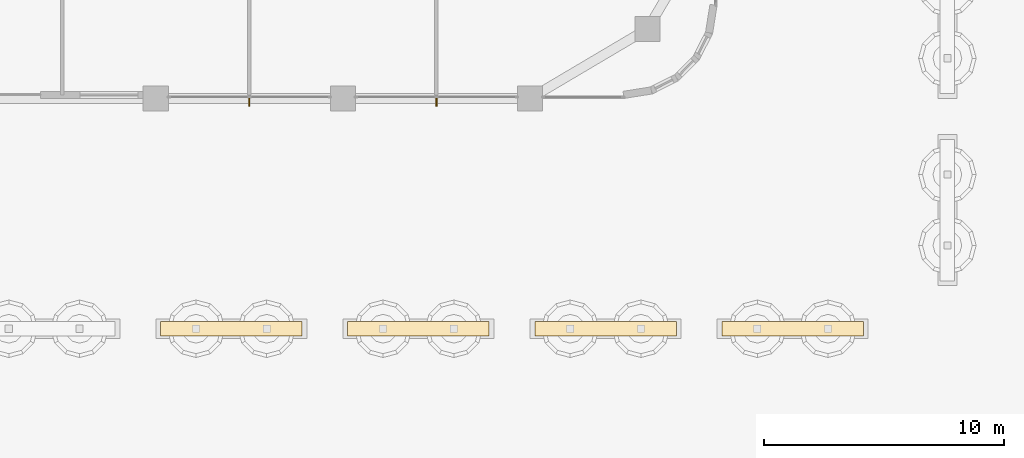
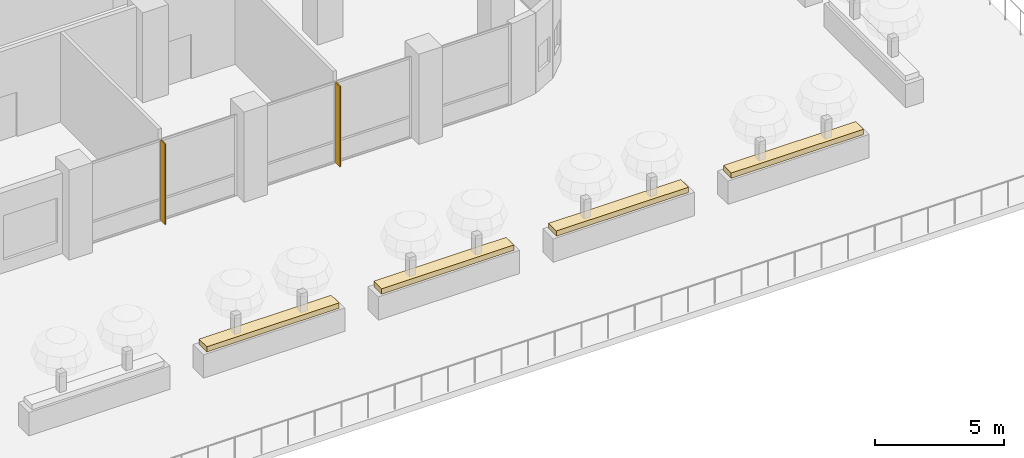
# One storey, part 21 of 31: 4 coverings, 2 shading devices.
"""IFC4 building model written with IfcOpenShell, lengths in metres."""

from ifc_helpers import new_model, si_unit, direction, frame, origin, origin_2d, place, context, subcontext, project, spatial, rectangle, extrude, material, layer, layer_set, type_object, element, save


model = new_model("IFC4")

# Units and contexts
model_context = context("Model", 3, precision=1e-05, world=origin(), true_north=direction((0.0, 1.0)))
body_context = subcontext(model_context, "Body", "Model", "MODEL_VIEW")
ifc_project = project(units=[si_unit("LENGTHUNIT", "METRE"), si_unit("AREAUNIT", "SQUARE_METRE"), si_unit("VOLUMEUNIT", "CUBIC_METRE"), si_unit("PLANEANGLEUNIT", "RADIAN"), si_unit("MASSUNIT", "GRAM", prefix="KILO")], contexts=[model_context])

# Site, building, storey
site_placement = place(None, origin())
site = spatial("IfcSite", under=ifc_project, at=site_placement, CompositionType="ELEMENT")
building_placement = place(site_placement, origin())
building = spatial("IfcBuilding", under=site, at=building_placement, Name="Ludao Terraces", CompositionType="ELEMENT")
storey_placement = place(building_placement, frame((0.0, 0.0, 15.0)))
storey = spatial("IfcBuildingStorey", under=building, at=storey_placement, Name="L03", CompositionType="ELEMENT", Elevation=15.0)

# Shading devices
ifc_material_1 = material(Name="Aluminium 6063-T6", Category="aluminium")
ifc_layer_1 = layer(ifc_material_1, 0.050048828125)
ifc_layer_set_1 = layer_set([ifc_layer_1], Name="ENV Sun fin 50x350")
shading_device_type = type_object("IfcShadingDeviceType", Name="ENV Sun fin 50x350", PredefinedType="USERDEFINED", material=ifc_layer_set_1)
for number, where, z_axis, x_axis, name in (
    (1, (88.89990234375, 41.4599609375, 0.0), (0.0, 0.0, 1.0), (1.0, 0.0, 0.0), "FN-CW-L03-S4-1"),
    (2, (96.699951171875, 41.4599609375, 0.0), (0.0, 0.0, 1.0), (1.0, 0.0, 0.0), "FN-CW-L03-S5-1"),
):
    element("IfcShadingDevice", number, at=place(storey_placement, frame(where, z_axis=z_axis, x_axis=x_axis)), inside=storey, type_object=shading_device_type, Name=name, ObjectType="FIN", PredefinedType="USERDEFINED", context=body_context, shape_type="SweptSolid", body=[
        extrude(rectangle(XDim=0.050048828125, YDim=0.35009765625, at=origin_2d()), origin(), (0.0, 0.0, 1.0), 3.800048828125),
    ])

# Coverings
ifc_material_2 = material(Name="Planting")
ifc_layer_2 = layer(ifc_material_2, 0.60009765625)
ifc_layer_set_2 = layer_set([ifc_layer_2], Name="ENV Terrace planting bed 250")
covering_type = type_object("IfcCoveringType", Name="ENV Terrace planting bed 250", PredefinedType="USERDEFINED", material=ifc_layer_set_2)
for number, where, z_axis, x_axis, name in (
    (3, (88.14990234375, 32.0, 1.10009765625), (0.0, 0.0, 1.0), (1.0, 0.0, 0.0), "Terrace planting bed L03-T5"),
    (4, (95.949951171875, 32.0, 1.10009765625), (0.0, 0.0, 1.0), (1.0, 0.0, 0.0), "Terrace planting bed L03-T6"),
    (5, (103.75, 32.0, 1.10009765625), (0.0, 0.0, 1.0), (1.0, 0.0, 0.0), "Terrace planting bed L03-T7"),
    (6, (111.550048828125, 32.0, 1.10009765625), (0.0, 0.0, 1.0), (1.0, 0.0, 0.0), "Terrace planting bed L03-T8"),
):
    element("IfcCovering", number, at=place(storey_placement, frame(where, z_axis=z_axis, x_axis=x_axis)), inside=storey, type_object=covering_type, Name=name, ObjectType="PLANTING", PredefinedType="USERDEFINED", context=body_context, shape_type="SweptSolid", body=[
        extrude(rectangle(XDim=5.89990234375, YDim=0.60009765625, at=origin_2d()), origin(), (0.0, 0.0, 1.0), 0.25),
    ])

save(model, "model.ifc")
